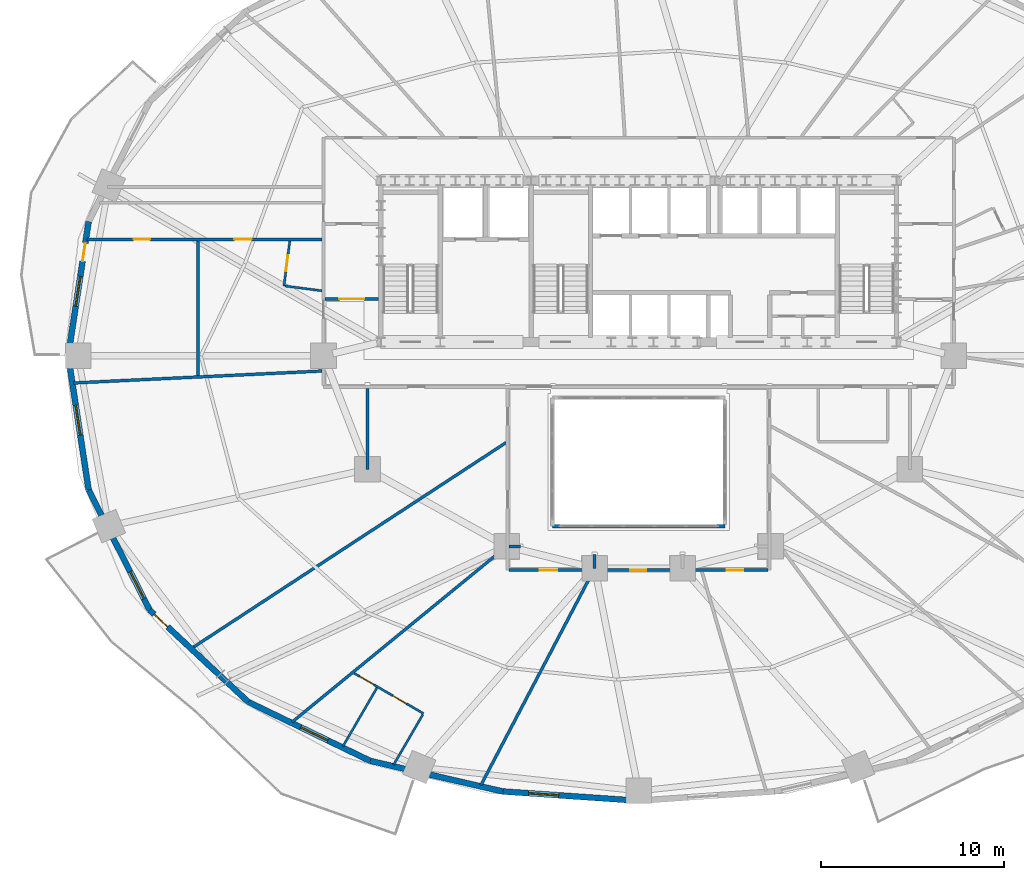
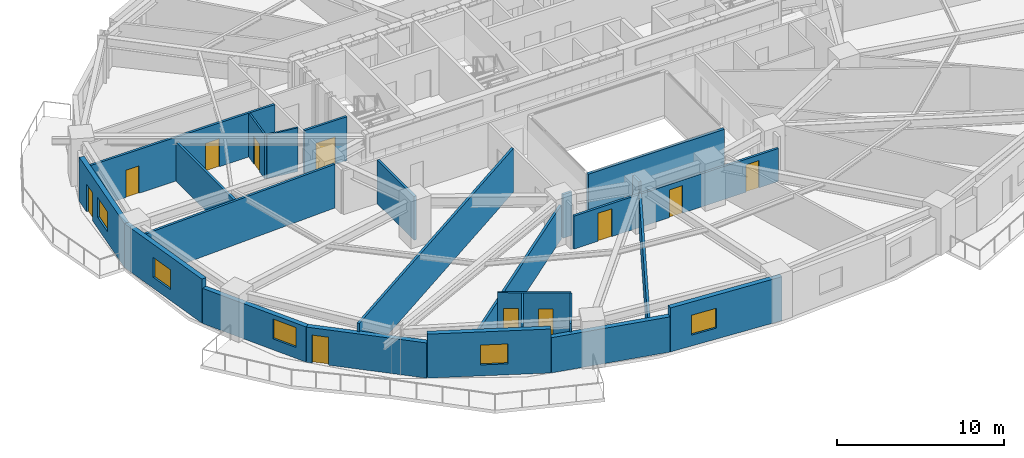
# One storey, part 9 of 17: 24 walls, 11 doors, 5 windows, 16 openings.
"""IFC4 building model written with IfcOpenShell, lengths in metres."""

from ifc_helpers import new_model, si_unit, direction, frame, frame_2d, origin, place, context, subcontext, project, spatial, rectangle, extrude, material, layer, layer_set, type_object, element, fill, save


model = new_model("IFC4")

# Units and contexts
model_context = context("Model", 3, precision=1e-05, world=origin(), true_north=direction((0.0, 1.0)))
body_context = subcontext(model_context, "Body", "Model", "MODEL_VIEW")
ifc_project = project(units=[si_unit("LENGTHUNIT", "METRE"), si_unit("AREAUNIT", "SQUARE_METRE"), si_unit("VOLUMEUNIT", "CUBIC_METRE"), si_unit("PLANEANGLEUNIT", "RADIAN"), si_unit("MASSUNIT", "GRAM", prefix="KILO")], contexts=[model_context])

# Site, building, storey
site_placement = place(None, origin())
site = spatial("IfcSite", under=ifc_project, at=site_placement, CompositionType="ELEMENT")
building_placement = place(site_placement, origin())
building = spatial("IfcBuilding", under=site, at=building_placement, Name="Haldorwick Loom Tower", CompositionType="ELEMENT")
storey_placement = place(building_placement, frame((0.0, 0.0, 61.949951171875)))
storey = spatial("IfcBuildingStorey", under=building, at=storey_placement, Name="L16", CompositionType="ELEMENT", Elevation=61.949951171875)

# Wall, openings, door, window
ifc_material_1 = material(Name="Pressed Clay Face Brick and Insulated Masonry Backup Assembly", Category="masonry")
ifc_layer_1 = layer(ifc_material_1, 0.320068359375, Name="Pressed Clay Face Brick and Insulated Masonry Backup Assembly", Category="masonry")
ifc_layer_set_1 = layer_set([ifc_layer_1], Name="Pressed Clay Face Brick and Insulated Masonry Backup Assembly")
wall_type_1 = type_object("IfcWallType", Name="ARC-WL-EXT320", PredefinedType="STANDARD", material=ifc_layer_set_1)
wall_1_placement = place(storey_placement, frame((5.978271484375, 33.320556640625, 0.0), z_axis=(0.0, 0.0, 1.0), x_axis=(-0.150476322528, -0.988613613278, 0.0)))
wall_1 = element("IfcWall", 1, at=wall_1_placement, inside=storey, type_object=wall_type_1, Name="L16 Brick Pier and Spandrel Wall 12", PredefinedType="STANDARD", context=body_context, shape_type="SweptSolid", body=[
    extrude(rectangle(XDim=7.40478515625, YDim=0.320068359375, at=frame_2d((3.702392578125, 0.0))), origin(), (0.0, 0.0, 1.0), 3.2099609375),
])
opening_1_placement = place(wall_1_placement, frame((1.18359375, 0.0, 0.0)))
opening_1 = element("IfcOpeningElement", 2, at=opening_1_placement, cuts=wall_1, Name="Opening D-BL10", PredefinedType="OPENING", context=body_context, shape_type="SweptSolid", body=[
    extrude(rectangle(XDim=1.0, YDim=2.0400390625, at=frame_2d((0.5, 1.02001953125))), frame((0.0, 0.169921875, 0.0), z_axis=(0.0, -1.0, 0.0), x_axis=(1.0, 0.0, 0.0)), (0.0, 0.0, 1.0), 0.340087890625),
])
opening_2_placement = place(wall_1_placement, frame((3.026611328125, 0.0, 0.800048828125)))
opening_2 = element("IfcOpeningElement", 3, at=opening_2_placement, cuts=wall_1, Name="Opening W-01B", PredefinedType="OPENING", context=body_context, shape_type="SweptSolid", body=[
    extrude(rectangle(XDim=1.64990234375, YDim=1.449951171875, at=frame_2d((0.824951171875, 0.72509765625))), frame((0.0, 0.169921875, 0.0), z_axis=(0.0, -1.0, 0.0), x_axis=(1.0, 0.0, 0.0)), (0.0, 0.0, 1.0), 0.340087890625),
])
ifc_material_2 = material(Name="Thermally Broken Anodized Aluminium Curtain Wall Framing", Category="aluminium")
door_type_1 = type_object("IfcDoorType", Name="ARC-DR-BAL100", OperationType="NOTDEFINED", PredefinedType="DOOR", material=ifc_material_2)
door_1_placement = place(opening_1_placement, origin())
door_1 = element("IfcDoor", 4, at=door_1_placement, inside=storey, type_object=door_type_1, Name="L16 Outdoor Terrace Door SLB-L16-BAL_WNW", OperationType="SINGLE_SWING_RIGHT", OverallHeight=2.0400390625, OverallWidth=1.0, PredefinedType="DOOR", context=body_context, shape_type="SweptSolid", body=[
    extrude(rectangle(XDim=1.0, YDim=2.0400390625, at=frame_2d((0.5, 1.02001953125))), frame((0.0, 0.02490234375, 0.0), z_axis=(0.0, -1.0, 0.0), x_axis=(1.0, 0.0, 0.0)), (0.0, 0.0, 1.0), 0.050048828125),
])
fill(opening_1, door_1)
ifc_material_3 = material(Name="Triple-Glazed Low-E Argon Insulated Glazing Unit", Category="glass")
window_type = type_object("IfcWindowType", Name="ARC-WIN-W165", PartitioningType="SINGLE_PANEL", PredefinedType="WINDOW", material=ifc_material_3)
window_1_placement = place(opening_2_placement, origin())
window_1 = element("IfcWindow", 5, at=window_1_placement, inside=storey, type_object=window_type, Name="L16 Deep-Set Zone 7A Window 12", OverallHeight=1.449951171875, OverallWidth=1.64990234375, PartitioningType="SINGLE_PANEL", PredefinedType="WINDOW", context=body_context, shape_type="SweptSolid", body=[
    extrude(rectangle(XDim=1.64990234375, YDim=1.449951171875, at=frame_2d((0.824951171875, 0.72509765625))), frame((0.0, 0.030029296875, 0.0), z_axis=(0.0, -1.0, 0.0), x_axis=(1.0, 0.0, 0.0)), (0.0, 0.0, 1.0), 0.06005859375),
])
fill(opening_2, window_1)

# Wall, opening, window
wall_2_placement = place(storey_placement, frame((4.864013671875, 26.0, 0.0), z_axis=(0.0, 0.0, 1.0), x_axis=(0.150476322528, -0.988613613278, 0.0)))
wall_2 = element("IfcWall", 6, at=wall_2_placement, inside=storey, type_object=wall_type_1, Name="L16 Brick Pier and Spandrel Wall 13", PredefinedType="STANDARD", context=body_context, shape_type="SweptSolid", body=[
    extrude(rectangle(XDim=7.40478515625, YDim=0.320068359375, at=frame_2d((3.702392578125, 0.0))), origin(), (0.0, 0.0, 1.0), 3.2099609375),
])
opening_3_placement = place(wall_2_placement, frame((2.728271484375, 0.0, 0.800048828125)))
opening_3 = element("IfcOpeningElement", 7, at=opening_3_placement, cuts=wall_2, Name="Opening W-01B", PredefinedType="OPENING", context=body_context, shape_type="SweptSolid", body=[
    extrude(rectangle(XDim=1.64990234375, YDim=1.449951171875, at=frame_2d((0.824951171875, 0.72509765625))), frame((0.0, 0.169921875, 0.0), z_axis=(0.0, -1.0, 0.0), x_axis=(1.0, 0.0, 0.0)), (0.0, 0.0, 1.0), 0.340087890625),
])
window_2_placement = place(opening_3_placement, origin())
window_2 = element("IfcWindow", 8, at=window_2_placement, inside=storey, type_object=window_type, Name="L16 Deep-Set Zone 7A Window 13", OverallHeight=1.449951171875, OverallWidth=1.64990234375, PartitioningType="SINGLE_PANEL", PredefinedType="WINDOW", context=body_context, shape_type="SweptSolid", body=[
    extrude(rectangle(XDim=1.64990234375, YDim=1.449951171875, at=frame_2d((0.824951171875, 0.72509765625))), frame((0.0, 0.030029296875, 0.0), z_axis=(0.0, -1.0, 0.0), x_axis=(1.0, 0.0, 0.0)), (0.0, 0.0, 1.0), 0.06005859375),
])
fill(opening_3, window_2)

wall_3_placement = place(storey_placement, frame((5.978271484375, 18.679443359375, 0.0), z_axis=(0.0, 0.0, 1.0), x_axis=(0.452950855928, -0.891535485617, 0.0)))
wall_3 = element("IfcWall", 9, at=wall_3_placement, inside=storey, type_object=wall_type_1, Name="L16 Brick Pier and Spandrel Wall 14", PredefinedType="STANDARD", context=body_context, shape_type="SweptSolid", body=[
    extrude(rectangle(XDim=7.3583984375, YDim=0.320068359375, at=frame_2d((3.67919921875, 0.0))), origin(), (0.0, 0.0, 1.0), 2.569091796875),
])
opening_4_placement = place(wall_3_placement, frame((5.00927734375, 0.0, 0.800048828125)))
opening_4 = element("IfcOpeningElement", 10, at=opening_4_placement, cuts=wall_3, Name="Opening W-01B", PredefinedType="OPENING", context=body_context, shape_type="SweptSolid", body=[
    extrude(rectangle(XDim=1.64990234375, YDim=1.449951171875, at=frame_2d((0.824951171875, 0.72509765625))), frame((0.0, 0.169921875, 0.0), z_axis=(0.0, -1.0, 0.0), x_axis=(1.0, 0.0, 0.0)), (0.0, 0.0, 1.0), 0.340087890625),
])
window_3_placement = place(opening_4_placement, origin())
window_3 = element("IfcWindow", 11, at=window_3_placement, inside=storey, type_object=window_type, Name="L16 Deep-Set Zone 7A Window 14", OverallHeight=1.449951171875, OverallWidth=1.64990234375, PartitioningType="SINGLE_PANEL", PredefinedType="WINDOW", context=body_context, shape_type="SweptSolid", body=[
    extrude(rectangle(XDim=1.64990234375, YDim=1.449951171875, at=frame_2d((0.824951171875, 0.72509765625))), frame((0.0, 0.030029296875, 0.0), z_axis=(0.0, -1.0, 0.0), x_axis=(1.0, 0.0, 0.0)), (0.0, 0.0, 1.0), 0.06005859375),
])
fill(opening_4, window_3)

# Wall, opening, door
wall_4_placement = place(storey_placement, frame((9.311279296875, 12.119140625, 0.0), z_axis=(0.0, 0.0, 1.0), x_axis=(0.73176101237, -0.681561311091, 0.0)))
wall_4 = element("IfcWall", 12, at=wall_4_placement, inside=storey, type_object=wall_type_1, Name="L16 Brick Pier and Spandrel Wall 15", PredefinedType="STANDARD", context=body_context, shape_type="SweptSolid", body=[
    extrude(rectangle(XDim=7.3583984375, YDim=0.320068359375, at=frame_2d((3.67919921875, 0.0))), origin(), (0.0, 0.0, 1.0), 2.569091796875),
])
opening_5_placement = place(wall_4_placement, frame((0.340087890625, 0.0, 0.0)))
opening_5 = element("IfcOpeningElement", 13, at=opening_5_placement, cuts=wall_4, Name="Opening D-BL10", PredefinedType="OPENING", context=body_context, shape_type="SweptSolid", body=[
    extrude(rectangle(XDim=1.0, YDim=2.0400390625, at=frame_2d((0.5, 1.02001953125))), frame((0.0, 0.169921875, 0.0), z_axis=(0.0, -1.0, 0.0), x_axis=(1.0, 0.0, 0.0)), (0.0, 0.0, 1.0), 0.340087890625),
])
door_2_placement = place(opening_5_placement, origin())
door_2 = element("IfcDoor", 14, at=door_2_placement, inside=storey, type_object=door_type_1, Name="L16 Outdoor Terrace Door SLB-L16-BAL_SW", OperationType="SINGLE_SWING_LEFT", OverallHeight=2.0400390625, OverallWidth=1.0, PredefinedType="DOOR", context=body_context, shape_type="SweptSolid", body=[
    extrude(rectangle(XDim=1.0, YDim=2.0400390625, at=frame_2d((0.5, 1.02001953125))), frame((0.0, 0.02490234375, 0.0), z_axis=(0.0, -1.0, 0.0), x_axis=(1.0, 0.0, 0.0)), (0.0, 0.0, 1.0), 0.050048828125),
])
fill(opening_5, door_2)

# Wall, opening, window
wall_5_placement = place(storey_placement, frame((14.69580078125, 7.10400390625, 0.0), z_axis=(0.0, 0.0, 1.0), x_axis=(0.900295710431, -0.435278800057, 0.0)))
wall_5 = element("IfcWall", 15, at=wall_5_placement, inside=storey, type_object=wall_type_1, Name="L16 Brick Pier and Spandrel Wall 16", PredefinedType="STANDARD", context=body_context, shape_type="SweptSolid", body=[
    extrude(rectangle(XDim=7.39697265625, YDim=0.320068359375, at=frame_2d((3.698486328125, 0.0))), origin(), (0.0, 0.0, 1.0), 3.2099609375),
])
opening_6_placement = place(wall_5_placement, frame((3.175048828125, 0.0, 0.800048828125)))
opening_6 = element("IfcOpeningElement", 16, at=opening_6_placement, cuts=wall_5, Name="Opening W-01B", PredefinedType="OPENING", context=body_context, shape_type="SweptSolid", body=[
    extrude(rectangle(XDim=1.64990234375, YDim=1.449951171875, at=frame_2d((0.824951171875, 0.72509765625))), frame((0.0, 0.169921875, 0.0), z_axis=(0.0, -1.0, 0.0), x_axis=(1.0, 0.0, 0.0)), (0.0, 0.0, 1.0), 0.340087890625),
])
window_4_placement = place(opening_6_placement, origin())
window_4 = element("IfcWindow", 17, at=window_4_placement, inside=storey, type_object=window_type, Name="L16 Deep-Set Zone 7A Window 16", OverallHeight=1.449951171875, OverallWidth=1.64990234375, PartitioningType="SINGLE_PANEL", PredefinedType="WINDOW", context=body_context, shape_type="SweptSolid", body=[
    extrude(rectangle(XDim=1.64990234375, YDim=1.449951171875, at=frame_2d((0.824951171875, 0.72509765625))), frame((0.0, 0.030029296875, 0.0), z_axis=(0.0, -1.0, 0.0), x_axis=(1.0, 0.0, 0.0)), (0.0, 0.0, 1.0), 0.06005859375),
])
fill(opening_6, window_4)

# Wall
wall_6_placement = place(storey_placement, frame((21.355224609375, 3.88427734375, 0.0), z_axis=(0.0, 0.0, 1.0), x_axis=(0.974522412345, -0.224290142088, 0.0)))
element("IfcWall", 18, at=wall_6_placement, inside=storey, type_object=wall_type_1, Name="L16 Brick Pier and Spandrel Wall 17", PredefinedType="STANDARD", context=body_context, shape_type="SweptSolid", body=[
    extrude(rectangle(XDim=7.422607421875, YDim=0.320068359375, at=frame_2d((3.71142578125, 0.0))), origin(), (0.0, 0.0, 1.0), 2.569091796875),
])

# Wall, opening, window
wall_7_placement = place(storey_placement, frame((28.588623046875, 2.219482421875, 0.0), z_axis=(0.0, 0.0, 1.0), x_axis=(0.997645161917, -0.068586667092, 0.0)))
wall_7 = element("IfcWall", 19, at=wall_7_placement, inside=storey, type_object=wall_type_1, Name="L16 Brick Pier and Spandrel Wall 18", PredefinedType="STANDARD", context=body_context, shape_type="SweptSolid", body=[
    extrude(rectangle(XDim=7.428955078125, YDim=0.320068359375, at=frame_2d((3.71435546875, 0.0))), origin(), (0.0, 0.0, 1.0), 3.2099609375),
])
opening_7_placement = place(wall_7_placement, frame((1.403564453125, 0.0, 0.800048828125)))
opening_7 = element("IfcOpeningElement", 20, at=opening_7_placement, cuts=wall_7, Name="Opening W-01B", PredefinedType="OPENING", context=body_context, shape_type="SweptSolid", body=[
    extrude(rectangle(XDim=1.64990234375, YDim=1.449951171875, at=frame_2d((0.824951171875, 0.72509765625))), frame((0.0, 0.169921875, 0.0), z_axis=(0.0, -1.0, 0.0), x_axis=(1.0, 0.0, 0.0)), (0.0, 0.0, 1.0), 0.340087890625),
])
window_5_placement = place(opening_7_placement, origin())
window_5 = element("IfcWindow", 21, at=window_5_placement, inside=storey, type_object=window_type, Name="L16 Deep-Set Zone 7A Window 18", OverallHeight=1.449951171875, OverallWidth=1.64990234375, PartitioningType="SINGLE_PANEL", PredefinedType="WINDOW", context=body_context, shape_type="SweptSolid", body=[
    extrude(rectangle(XDim=1.64990234375, YDim=1.449951171875, at=frame_2d((0.824951171875, 0.72509765625))), frame((0.0, 0.030029296875, 0.0), z_axis=(0.0, -1.0, 0.0), x_axis=(1.0, 0.0, 0.0)), (0.0, 0.0, 1.0), 0.06005859375),
])
fill(opening_7, window_5)

# Wall, opening, door
ifc_material_4 = material(Name="Fire-Rated Type X Gypsum Stud Assembly EI 60")
ifc_layer_2 = layer(ifc_material_4, 0.159912109375, Name="Fire-Rated Type X Gypsum Stud Assembly EI 60")
ifc_layer_set_2 = layer_set([ifc_layer_2], Name="Fire-Rated Type X Gypsum Stud Assembly EI 60")
wall_type_2 = type_object("IfcWallType", Name="ARC-WL-FIRE160", PredefinedType="PARTITIONING", material=ifc_layer_set_2)
wall_8_placement = place(storey_placement, frame((18.883056640625, 29.10009765625, 0.0), z_axis=(0.0, 0.0, 1.0), x_axis=(1.0, 0.0, 0.0)))
wall_8 = element("IfcWall", 22, at=wall_8_placement, inside=storey, type_object=wall_type_2, Name="L16 Residential Fire Partition L16-CR-WSJ", PredefinedType="PARTITIONING", context=body_context, shape_type="SweptSolid", body=[
    extrude(rectangle(XDim=2.923828125, YDim=0.159912109375, at=frame_2d((1.4619140625, 0.0))), origin(), (0.0, 0.0, 1.0), 3.195068359375),
])
opening_8_placement = place(wall_8_placement, frame((0.787109375, 0.0, 0.0)))
opening_8 = element("IfcOpeningElement", 23, at=opening_8_placement, cuts=wall_8, Name="Opening D-CR15", PredefinedType="OPENING", context=body_context, shape_type="SweptSolid", body=[
    extrude(rectangle(XDim=1.35009765625, YDim=2.0, at=frame_2d((0.675048828125, 1.0))), frame((0.0, 0.08984375, 0.0), z_axis=(0.0, -1.0, 0.0), x_axis=(1.0, 0.0, 0.0)), (0.0, 0.0, 1.0), 0.179931640625),
])
ifc_material_5 = material(Name="Thermally Broken Anodized Aluminium and Tempered Glass", Category="aluminium")
door_type_2 = type_object("IfcDoorType", Name="ARC-DR-COR150", OperationType="NOTDEFINED", PredefinedType="DOOR", material=ifc_material_5)
door_3_placement = place(opening_8_placement, origin())
door_3 = element("IfcDoor", 24, at=door_3_placement, inside=storey, type_object=door_type_2, Name="L16 L16 West Residential Corridor to L16 Central Residential Corridor Do", OperationType="DOUBLE_DOOR_SINGLE_SWING", OverallHeight=2.0, OverallWidth=1.35009765625, PredefinedType="DOOR", context=body_context, shape_type="SweptSolid", body=[
    extrude(rectangle(XDim=1.35009765625, YDim=2.0, at=frame_2d((0.675048828125, 1.0))), frame((0.0, 0.02490234375, 0.0), z_axis=(0.0, -1.0, 0.0), x_axis=(1.0, 0.0, 0.0)), (0.0, 0.0, 1.0), 0.050048828125),
])
fill(opening_8, door_3)

# Wall, openings, doors
wall_9_placement = place(storey_placement, frame((28.93310546875, 14.300048828125, 0.0), z_axis=(0.0, 0.0, 1.0), x_axis=(1.0, 0.0, 0.0)))
wall_9 = element("IfcWall", 25, at=wall_9_placement, inside=storey, type_object=wall_type_2, Name="L16 Residential Fire Partition L16-CR-AS", PredefinedType="PARTITIONING", context=body_context, shape_type="SweptSolid", body=[
    extrude(rectangle(XDim=14.1337890625, YDim=0.159912109375, at=frame_2d((7.06689453125, 0.0))), origin(), (0.0, 0.0, 1.0), 2.412109375),
])
opening_9_placement = place(wall_9_placement, frame((6.606689453125, 0.0, 0.0)))
opening_9 = element("IfcOpeningElement", 26, at=opening_9_placement, cuts=wall_9, Name="Opening D-FD88", PredefinedType="OPENING", context=body_context, shape_type="SweptSolid", body=[
    extrude(rectangle(XDim=0.8798828125, YDim=2.02001953125, at=frame_2d((0.43994140625, 1.010009765625))), frame((0.0, 0.08984375, 0.0), z_axis=(0.0, -1.0, 0.0), x_axis=(1.0, 0.0, 0.0)), (0.0, 0.0, 1.0), 0.179931640625),
])
opening_10_placement = place(wall_9_placement, frame((1.671142578125, 0.0, 0.0)))
opening_10 = element("IfcOpeningElement", 27, at=opening_10_placement, cuts=wall_9, Name="Opening D-FL95", PredefinedType="OPENING", context=body_context, shape_type="SweptSolid", body=[
    extrude(rectangle(XDim=0.949951171875, YDim=2.0400390625, at=frame_2d((0.47509765625, 1.02001953125))), frame((0.0, 0.08984375, 0.0), z_axis=(0.0, -1.0, 0.0), x_axis=(1.0, 0.0, 0.0)), (0.0, 0.0, 1.0), 0.179931640625),
])
opening_11_placement = place(wall_9_placement, frame((11.88623046875, 0.0, 0.0)))
opening_11 = element("IfcOpeningElement", 28, at=opening_11_placement, cuts=wall_9, Name="Opening D-FD60A", PredefinedType="OPENING", context=body_context, shape_type="SweptSolid", body=[
    extrude(rectangle(XDim=0.89990234375, YDim=2.0, at=frame_2d((0.449951171875, 1.0))), frame((0.0, 0.08984375, 0.0), z_axis=(0.0, -1.0, 0.0), x_axis=(1.0, 0.0, 0.0)), (0.0, 0.0, 1.0), 0.179931640625),
])
ifc_material_6 = material(Name="Hollow Steel Fire Door Assembly", Category="steel")
door_type_3 = type_object("IfcDoorType", Name="ARC-DR-FD60-88", OperationType="NOTDEFINED", PredefinedType="DOOR", material=ifc_material_6)
door_4_placement = place(opening_9_placement, origin())
door_4 = element("IfcDoor", 29, at=door_4_placement, inside=storey, type_object=door_type_3, Name="L16 L16 South Atrium Corridor to Tenant Seminar Meeting Room 10 Door", OperationType="SINGLE_SWING_LEFT", OverallHeight=2.02001953125, OverallWidth=0.8798828125, PredefinedType="DOOR", context=body_context, shape_type="SweptSolid", body=[
    extrude(rectangle(XDim=0.8798828125, YDim=2.02001953125, at=frame_2d((0.43994140625, 1.010009765625))), frame((0.0, 0.02490234375, 0.0), z_axis=(0.0, -1.0, 0.0), x_axis=(1.0, 0.0, 0.0)), (0.0, 0.0, 1.0), 0.050048828125),
])
fill(opening_9, door_4)
door_type_4 = type_object("IfcDoorType", Name="ARC-DR-FD60-90", OperationType="NOTDEFINED", PredefinedType="DOOR", material=ifc_material_6)
door_5_placement = place(opening_11_placement, origin())
door_5 = element("IfcDoor", 30, at=door_5_placement, inside=storey, type_object=door_type_4, Name="L16 L16 South Atrium Corridor to Tenant Seminar Meeting Room 5 Door", OperationType="SINGLE_SWING_LEFT", OverallHeight=2.0, OverallWidth=0.89990234375, PredefinedType="DOOR", context=body_context, shape_type="SweptSolid", body=[
    extrude(rectangle(XDim=0.89990234375, YDim=2.0, at=frame_2d((0.449951171875, 1.0))), frame((0.0, 0.02490234375, 0.0), z_axis=(0.0, -1.0, 0.0), x_axis=(1.0, 0.0, 0.0)), (0.0, 0.0, 1.0), 0.050048828125),
])
fill(opening_11, door_5)
ifc_material_7 = material(Name="Solid Core Birch Architectural Door")
door_type_5 = type_object("IfcDoorType", Name="ARC-DR-FLAT95", OperationType="NOTDEFINED", PredefinedType="DOOR", material=ifc_material_7)
door_6_placement = place(opening_10_placement, origin())
door_6 = element("IfcDoor", 31, at=door_6_placement, inside=storey, type_object=door_type_5, Name="L16 L16 South Atrium Corridor to Unit 16A Kitchen and Living Room Door", OperationType="SINGLE_SWING_LEFT", OverallHeight=2.0400390625, OverallWidth=0.949951171875, PredefinedType="DOOR", context=body_context, shape_type="SweptSolid", body=[
    extrude(rectangle(XDim=0.949951171875, YDim=2.0400390625, at=frame_2d((0.47509765625, 1.02001953125))), frame((0.0, 0.02490234375, 0.0), z_axis=(0.0, -1.0, 0.0), x_axis=(1.0, 0.0, 0.0)), (0.0, 0.0, 1.0), 0.050048828125),
])
fill(opening_10, door_6)

wall_10_placement = place(storey_placement, frame((5.896240234375, 32.35009765625, 0.0), z_axis=(0.0, 0.0, 1.0), x_axis=(1.0, 0.0, 0.0)))
wall_10 = element("IfcWall", 32, at=wall_10_placement, inside=storey, type_object=wall_type_2, Name="L16 Residential Fire Partition L16-CR-GW0", PredefinedType="PARTITIONING", context=body_context, shape_type="SweptSolid", body=[
    extrude(rectangle(XDim=12.82080078125, YDim=0.159912109375, at=frame_2d((6.410400390625, 0.0))), origin(), (0.0, 0.0, 1.0), 3.195068359375),
])
opening_12_placement = place(wall_10_placement, frame((2.5341796875, 0.0, 0.0)))
opening_12 = element("IfcOpeningElement", 33, at=opening_12_placement, cuts=wall_10, Name="Opening D-FD60A", PredefinedType="OPENING", context=body_context, shape_type="SweptSolid", body=[
    extrude(rectangle(XDim=0.89990234375, YDim=2.0, at=frame_2d((0.449951171875, 1.0))), frame((0.0, 0.08984375, 0.0), z_axis=(0.0, -1.0, 0.0), x_axis=(1.0, 0.0, 0.0)), (0.0, 0.0, 1.0), 0.179931640625),
])
opening_13_placement = place(wall_10_placement, frame((8.035400390625, 0.0, 0.0)))
opening_13 = element("IfcOpeningElement", 34, at=opening_13_placement, cuts=wall_10, Name="Opening D-FL95", PredefinedType="OPENING", context=body_context, shape_type="SweptSolid", body=[
    extrude(rectangle(XDim=0.949951171875, YDim=2.0400390625, at=frame_2d((0.47509765625, 1.02001953125))), frame((0.0, 0.08984375, 0.0), z_axis=(0.0, -1.0, 0.0), x_axis=(1.0, 0.0, 0.0)), (0.0, 0.0, 1.0), 0.179931640625),
])
door_7_placement = place(opening_12_placement, origin())
door_7 = element("IfcDoor", 35, at=door_7_placement, inside=storey, type_object=door_type_4, Name="L16 L16 West Daylight Corridor to Wellness Therapy Room 2 Door", OperationType="SINGLE_SWING_RIGHT", OverallHeight=2.0, OverallWidth=0.89990234375, PredefinedType="DOOR", context=body_context, shape_type="SweptSolid", body=[
    extrude(rectangle(XDim=0.89990234375, YDim=2.0, at=frame_2d((0.449951171875, 1.0))), frame((0.0, 0.02490234375, 0.0), z_axis=(0.0, -1.0, 0.0), x_axis=(1.0, 0.0, 0.0)), (0.0, 0.0, 1.0), 0.050048828125),
])
fill(opening_12, door_7)
door_8_placement = place(opening_13_placement, origin())
door_8 = element("IfcDoor", 36, at=door_8_placement, inside=storey, type_object=door_type_5, Name="L16 L16 West Daylight Corridor to Unit 16F Kitchen and Studio Living Roo", OperationType="SINGLE_SWING_LEFT", OverallHeight=2.0400390625, OverallWidth=0.949951171875, PredefinedType="DOOR", context=body_context, shape_type="SweptSolid", body=[
    extrude(rectangle(XDim=0.949951171875, YDim=2.0400390625, at=frame_2d((0.47509765625, 1.02001953125))), frame((0.0, 0.02490234375, 0.0), z_axis=(0.0, -1.0, 0.0), x_axis=(1.0, 0.0, 0.0)), (0.0, 0.0, 1.0), 0.050048828125),
])
fill(opening_13, door_8)

# Walls
wall_11_placement = place(storey_placement, frame((33.50390625, 14.217041015625, 0.0), z_axis=(0.0, 0.0, 1.0), x_axis=(-0.464675028533, -0.885481291648, 0.0)))
element("IfcWall", 37, at=wall_11_placement, inside=storey, type_object=wall_type_2, Name="L16 Residential Fire Partition L16-ICR-07", PredefinedType="PARTITIONING", context=body_context, shape_type="SweptSolid", body=[
    extrude(rectangle(XDim=13.161865234375, YDim=0.159912109375, at=frame_2d((6.5810546875, 0.0))), origin(), (0.0, 0.0, 1.0), 2.489990234375),
])
wall_12_placement = place(storey_placement, frame((28.76708984375, 15.572998046875, 0.0), z_axis=(0.0, 0.0, 1.0), x_axis=(-0.773787106527, -0.633445746511, 0.0)))
element("IfcWall", 38, at=wall_12_placement, inside=storey, type_object=wall_type_2, Name="L16 Residential Fire Partition L16-ICR-09", PredefinedType="PARTITIONING", context=body_context, shape_type="SweptSolid", body=[
    extrude(rectangle(XDim=15.0859375, YDim=0.159912109375, at=frame_2d((7.54296875, 0.0))), origin(), (0.0, 0.0, 1.0), 2.489990234375),
])
wall_13_placement = place(storey_placement, frame((33.60009765625, 15.14990234375, 0.0), z_axis=(0.0, 0.0, 1.0), x_axis=(0.0, -1.0, 0.0)))
element("IfcWall", 39, at=wall_13_placement, inside=storey, type_object=wall_type_2, Name="L16 Residential Fire Partition L16-ICA-06", PredefinedType="PARTITIONING", context=body_context, shape_type="SweptSolid", body=[
    extrude(rectangle(XDim=0.75, YDim=0.159912109375, at=frame_2d((0.375, 0.0))), origin(), (0.0, 0.0, 1.0), 3.195068359375),
])
wall_14_placement = place(storey_placement, frame((29.550048828125, 15.60009765625, 0.0), z_axis=(0.0, 0.0, 1.0), x_axis=(-1.0, 0.0, 0.0)))
element("IfcWall", 40, at=wall_14_placement, inside=storey, type_object=wall_type_2, Name="L16 Residential Fire Partition L16-ICA-08", PredefinedType="PARTITIONING", context=body_context, shape_type="SweptSolid", body=[
    extrude(rectangle(XDim=0.616943359375, YDim=0.159912109375, at=frame_2d((0.30859375, 0.0))), origin(), (0.0, 0.0, 1.0), 3.195068359375),
])
wall_15_placement = place(storey_placement, frame((21.199951171875, 24.217041015625, 0.0), z_axis=(0.0, 0.0, 1.0), x_axis=(0.0, -1.0, 0.0)))
element("IfcWall", 41, at=wall_15_placement, inside=storey, type_object=wall_type_2, Name="L16 Residential Fire Partition L16-ICA-10", PredefinedType="PARTITIONING", context=body_context, shape_type="SweptSolid", body=[
    extrude(rectangle(XDim=4.4169921875, YDim=0.159912109375, at=frame_2d((2.20849609375, 0.0))), origin(), (0.0, 0.0, 1.0), 3.195068359375),
])
wall_16_placement = place(storey_placement, frame((18.717041015625, 25.16748046875, 0.0), z_axis=(0.0, 0.0, 1.0), x_axis=(-0.998842403031, -0.048102535342, 0.0)))
element("IfcWall", 42, at=wall_16_placement, inside=storey, type_object=wall_type_2, Name="L16 Suite Split Wall", PredefinedType="PARTITIONING", context=body_context, shape_type="SweptSolid", body=[
    extrude(rectangle(XDim=13.57666015625, YDim=0.159912109375, at=frame_2d((6.788330078125, 0.0))), origin(), (0.0, 0.0, 1.0), 3.195068359375),
])
wall_17_placement = place(storey_placement, frame((28.76708984375, 21.265625, 0.0), z_axis=(0.0, 0.0, 1.0), x_axis=(-0.836705985734, -0.54765234724, 0.0)))
element("IfcWall", 43, at=wall_17_placement, inside=storey, type_object=wall_type_2, Name="L16 Suite Split Wall", PredefinedType="PARTITIONING", context=body_context, shape_type="SweptSolid", body=[
    extrude(rectangle(XDim=20.48193359375, YDim=0.159912109375, at=frame_2d((10.240966796875, 0.0))), origin(), (0.0, 0.0, 1.0), 3.195068359375),
])
wall_18_placement = place(storey_placement, frame((11.958740234375, 32.26708984375, 0.0), z_axis=(0.0, 0.0, 1.0), x_axis=(0.0, -1.0, 0.0)))
element("IfcWall", 44, at=wall_18_placement, inside=storey, type_object=wall_type_2, Name="L16 Suite Split Wall", PredefinedType="PARTITIONING", context=body_context, shape_type="SweptSolid", body=[
    extrude(rectangle(XDim=7.342041015625, YDim=0.159912109375, at=frame_2d((3.6708984375, 0.0))), origin(), (0.0, 0.0, 1.0), 2.8271484375),
])
ifc_material_8 = material(Name="Fire-Rated Type X Gypsum Stud Assembly EI 120")
ifc_layer_3 = layer(ifc_material_8, 0.199951171875, Name="Fire-Rated Type X Gypsum Stud Assembly EI 120")
ifc_layer_set_3 = layer_set([ifc_layer_3], Name="Fire-Rated Type X Gypsum Stud Assembly EI 120")
wall_type_3 = type_object("IfcWallType", Name="ARC-WL-FIRE200", PredefinedType="PARTITIONING", material=ifc_layer_set_3)
wall_19_placement = place(storey_placement, frame((40.699951171875, 16.699951171875, 0.0), z_axis=(0.0, 0.0, 1.0), x_axis=(-1.0, 0.0, 0.0)))
element("IfcWall", 45, at=wall_19_placement, inside=storey, type_object=wall_type_3, Name="L16 Atrium Fire Enclosure Wall S", PredefinedType="PARTITIONING", context=body_context, shape_type="SweptSolid", body=[
    extrude(rectangle(XDim=9.39990234375, YDim=0.199951171875, at=frame_2d((4.699951171875, 0.0))), origin(), (0.0, 0.0, 1.0), 3.195068359375),
])

# Wall, openings, doors
ifc_material_9 = material(Name="Acoustic Gypsum Stud Assembly STC 55")
ifc_layer_4 = layer(ifc_material_9, 0.1201171875, Name="Acoustic Gypsum Stud Assembly STC 55")
ifc_layer_set_4 = layer_set([ifc_layer_4], Name="Acoustic Gypsum Stud Assembly STC 55")
wall_type_4 = type_object("IfcWallType", Name="ARC-WL-PART120", PredefinedType="PARTITIONING", material=ifc_layer_set_4)
wall_20_placement = place(storey_placement, frame((20.469482421875, 8.673095703125, 0.0), z_axis=(0.0, 0.0, 1.0), x_axis=(0.864621628779, -0.502423565378, 0.0)))
wall_20 = element("IfcWall", 46, at=wall_20_placement, inside=storey, type_object=wall_type_4, Name="L16 Unit 16A Interior Partition", PredefinedType="PARTITIONING", context=body_context, shape_type="SweptSolid", body=[
    extrude(rectangle(XDim=4.375244140625, YDim=0.1201171875, at=frame_2d((2.1875, 0.0))), origin(), (0.0, 0.0, 1.0), 3.195068359375),
])
opening_14_placement = place(wall_20_placement, frame((2.4384765625, 0.0, 0.0)))
opening_14 = element("IfcOpeningElement", 47, at=opening_14_placement, cuts=wall_20, Name="Opening D-BT88", PredefinedType="OPENING", context=body_context, shape_type="SweptSolid", body=[
    extrude(rectangle(XDim=0.8798828125, YDim=2.02001953125, at=frame_2d((0.43994140625, 1.010009765625))), frame((0.0, 0.070068359375, 0.0), z_axis=(0.0, -1.0, 0.0), x_axis=(1.0, 0.0, 0.0)), (0.0, 0.0, 1.0), 0.14013671875),
])
opening_15_placement = place(wall_20_placement, frame((0.340087890625, 0.0, 0.0)))
opening_15 = element("IfcOpeningElement", 48, at=opening_15_placement, cuts=wall_20, Name="Opening D-IN90", PredefinedType="OPENING", context=body_context, shape_type="SweptSolid", body=[
    extrude(rectangle(XDim=0.89990234375, YDim=2.0400390625, at=frame_2d((0.449951171875, 1.02001953125))), frame((0.0, 0.070068359375, 0.0), z_axis=(0.0, -1.0, 0.0), x_axis=(1.0, 0.0, 0.0)), (0.0, 0.0, 1.0), 0.14013671875),
])
door_type_6 = type_object("IfcDoorType", Name="ARC-DR-BATH88", OperationType="NOTDEFINED", PredefinedType="DOOR", material=ifc_material_7)
door_9_placement = place(opening_14_placement, origin())
door_9 = element("IfcDoor", 49, at=door_9_placement, inside=storey, type_object=door_type_6, Name="L16 Unit 16A Kitchen and Living Room to Unit 16A Bathroom Door", OperationType="SINGLE_SWING_RIGHT", OverallHeight=2.02001953125, OverallWidth=0.8798828125, PredefinedType="DOOR", context=body_context, shape_type="SweptSolid", body=[
    extrude(rectangle(XDim=0.8798828125, YDim=2.02001953125, at=frame_2d((0.43994140625, 1.010009765625))), frame((0.0, 0.02490234375, 0.0), z_axis=(0.0, -1.0, 0.0), x_axis=(1.0, 0.0, 0.0)), (0.0, 0.0, 1.0), 0.050048828125),
])
fill(opening_14, door_9)
door_type_7 = type_object("IfcDoorType", Name="ARC-DR-INT90", OperationType="NOTDEFINED", PredefinedType="DOOR", material=ifc_material_7)
door_10_placement = place(opening_15_placement, origin())
door_10 = element("IfcDoor", 50, at=door_10_placement, inside=storey, type_object=door_type_7, Name="L16 Unit 16A Kitchen and Living Room to Unit 16A Bedroom 1 Door", OperationType="SINGLE_SWING_LEFT", OverallHeight=2.0400390625, OverallWidth=0.89990234375, PredefinedType="DOOR", context=body_context, shape_type="SweptSolid", body=[
    extrude(rectangle(XDim=0.89990234375, YDim=2.0400390625, at=frame_2d((0.449951171875, 1.02001953125))), frame((0.0, 0.02490234375, 0.0), z_axis=(0.0, -1.0, 0.0), x_axis=(1.0, 0.0, 0.0)), (0.0, 0.0, 1.0), 0.050048828125),
])
fill(opening_15, door_10)

# Walls
wall_21_placement = place(storey_placement, frame((24.220703125, 6.42041015625, 0.0), z_axis=(0.0, 0.0, 1.0), x_axis=(-0.502386454941, -0.864643192243, 0.0)))
element("IfcWall", 51, at=wall_21_placement, inside=storey, type_object=wall_type_4, Name="L16 Unit 16A Interior Partition", PredefinedType="PARTITIONING", context=body_context, shape_type="SweptSolid", body=[
    extrude(rectangle(XDim=3.19189453125, YDim=0.1201171875, at=frame_2d((1.595947265625, 0.0))), origin(), (0.0, 0.0, 1.0), 3.195068359375),
])
wall_22_placement = place(storey_placement, frame((21.714599609375, 7.87646484375, 0.0), z_axis=(0.0, 0.0, 1.0), x_axis=(-0.502371323151, -0.864651984139, 0.0)))
element("IfcWall", 52, at=wall_22_placement, inside=storey, type_object=wall_type_4, Name="L16 Unit 16A Interior Partition", PredefinedType="PARTITIONING", context=body_context, shape_type="SweptSolid", body=[
    extrude(rectangle(XDim=3.6962890625, YDim=0.1201171875, at=frame_2d((1.84814453125, 0.0))), origin(), (0.0, 0.0, 1.0), 3.195068359375),
])

# Wall, opening, door
wall_23_placement = place(storey_placement, frame((16.959716796875, 32.26708984375, 0.0), z_axis=(0.0, 0.0, 1.0), x_axis=(-0.128566617431, -0.991700874701, 0.0)))
wall_23 = element("IfcWall", 53, at=wall_23_placement, inside=storey, type_object=wall_type_4, Name="L16 Unit 16F Interior Partition", PredefinedType="PARTITIONING", context=body_context, shape_type="SweptSolid", body=[
    extrude(rectangle(XDim=2.472412109375, YDim=0.1201171875, at=frame_2d((1.236328125, 0.0))), origin(), (0.0, 0.0, 1.0), 3.195068359375),
])
opening_16_placement = place(wall_23_placement, frame((0.796142578125, 0.0, 0.0)))
opening_16 = element("IfcOpeningElement", 54, at=opening_16_placement, cuts=wall_23, Name="Opening D-BT88", PredefinedType="OPENING", context=body_context, shape_type="SweptSolid", body=[
    extrude(rectangle(XDim=0.8798828125, YDim=2.02001953125, at=frame_2d((0.43994140625, 1.010009765625))), frame((0.0, 0.070068359375, 0.0), z_axis=(0.0, -1.0, 0.0), x_axis=(1.0, 0.0, 0.0)), (0.0, 0.0, 1.0), 0.14013671875),
])
door_11_placement = place(opening_16_placement, origin())
door_11 = element("IfcDoor", 55, at=door_11_placement, inside=storey, type_object=door_type_6, Name="L16 Unit 16F Bathroom to Unit 16F Kitchen and Studio Living Room Door", OperationType="SINGLE_SWING_LEFT", OverallHeight=2.02001953125, OverallWidth=0.8798828125, PredefinedType="DOOR", context=body_context, shape_type="SweptSolid", body=[
    extrude(rectangle(XDim=0.8798828125, YDim=2.02001953125, at=frame_2d((0.43994140625, 1.010009765625))), frame((0.0, 0.02490234375, 0.0), z_axis=(0.0, -1.0, 0.0), x_axis=(1.0, 0.0, 0.0)), (0.0, 0.0, 1.0), 0.050048828125),
])
fill(opening_16, door_11)

# Wall
wall_24_placement = place(storey_placement, frame((18.717041015625, 29.546142578125, 0.0), z_axis=(0.0, 0.0, 1.0), x_axis=(-0.991697393923, 0.128593463622, 0.0)))
element("IfcWall", 56, at=wall_24_placement, inside=storey, type_object=wall_type_4, Name="L16 Unit 16F Interior Partition", PredefinedType="PARTITIONING", context=body_context, shape_type="SweptSolid", body=[
    extrude(rectangle(XDim=2.029541015625, YDim=0.1201171875, at=frame_2d((1.0146484375, 0.0))), origin(), (0.0, 0.0, 1.0), 3.195068359375),
])

save(model, "model.ifc")
